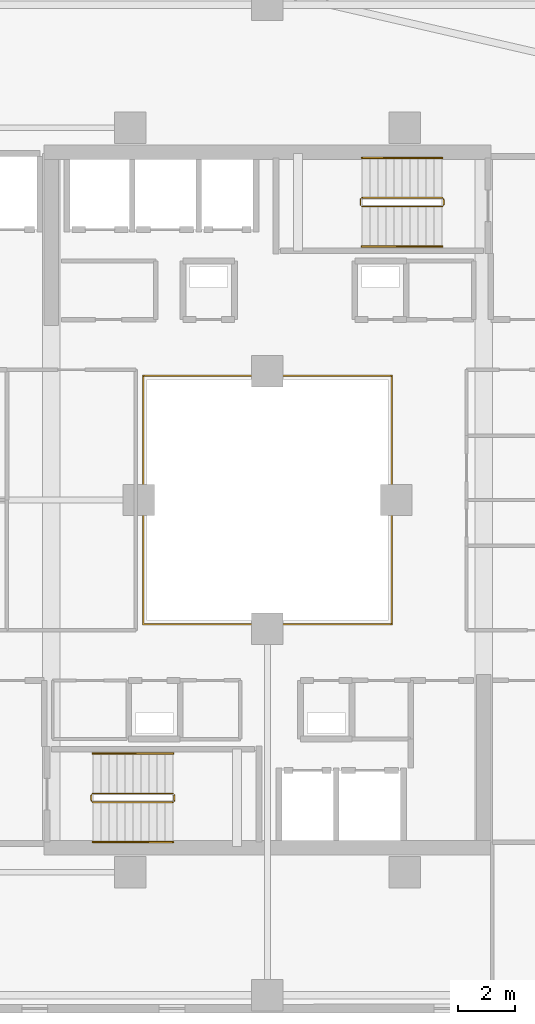
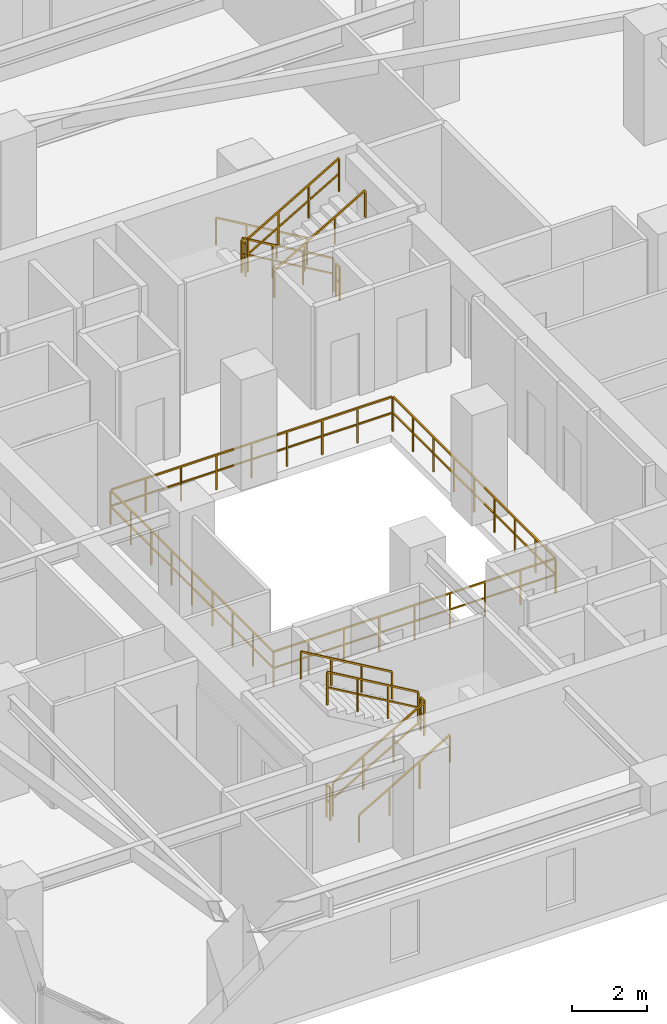
# One storey, part 30 of 33: 13 railings.
"""IFC4 building model written with IfcOpenShell, lengths in metres."""

from ifc_helpers import new_model, si_unit, direction, frame, origin, origin_2d, place, context, subcontext, project, spatial, rectangle, extrude, material, type_object, element, save


model = new_model("IFC4")

# Units and contexts
model_context = context("Model", 3, precision=1e-05, world=origin(), true_north=direction((0.0, 1.0)))
body_context = subcontext(model_context, "Body", "Model", "MODEL_VIEW")
ifc_project = project(units=[si_unit("LENGTHUNIT", "METRE"), si_unit("AREAUNIT", "SQUARE_METRE"), si_unit("VOLUMEUNIT", "CUBIC_METRE"), si_unit("PLANEANGLEUNIT", "RADIAN"), si_unit("MASSUNIT", "GRAM", prefix="KILO")], contexts=[model_context])

# Site, building, storey
site_placement = place(None, origin())
site = spatial("IfcSite", under=ifc_project, at=site_placement, CompositionType="ELEMENT")
building_placement = place(site_placement, origin())
building = spatial("IfcBuilding", under=site, at=building_placement, Name="Thornwick Lancets Civic Towers", CompositionType="ELEMENT")
storey_placement = place(building_placement, frame((0.0, 0.0, 189.300048828125)))
storey = spatial("IfcBuildingStorey", under=building, at=storey_placement, Name="L50", CompositionType="ELEMENT", Elevation=189.300048828125)

# Railings
ifc_material_1 = material(Name="Laminated glass and bronze steel S355", Category="steel")
railing_type_1 = type_object("IfcRailingType", Name="RAIL_ATRIUM_GUARD", PredefinedType="BALUSTRADE", material=ifc_material_1)
railing_1_placement = place(storey_placement, frame((21.159912109375, 22.659912109375, 0.0)))
element("IfcRailing", 1, at=railing_1_placement, inside=storey, type_object=railing_type_1, Name="L50 Tower A Central Atrium Guard Balustrade", PredefinedType="BALUSTRADE", context=body_context, shape_type="SweptSolid", body=[
    extrude(rectangle(XDim=0.048095703125, YDim=0.048095703125, at=origin_2d()), frame((0.0, 0.0, 1.1259765625), z_axis=(1.0, 0.0, 0.0), x_axis=(0.0, 1.0, 0.0)), (0.0, 0.0, 1.0), 8.64892578125),
    extrude(rectangle(XDim=0.0419921875, YDim=0.0419921875, at=origin_2d()), frame((0.03759765625, 0.0, 0.597900390625), z_axis=(1.0, 0.0, 0.0), x_axis=(0.0, 1.0, 0.0)), (0.0, 0.0, 1.0), 1.010009765625),
    extrude(rectangle(XDim=0.0419921875, YDim=0.0419921875, at=origin_2d()), frame((1.12255859375, 0.0, 0.597900390625), z_axis=(1.0, 0.0, 0.0), x_axis=(0.0, 1.0, 0.0)), (0.0, 0.0, 1.0), 1.010009765625),
    extrude(rectangle(XDim=0.0419921875, YDim=0.0419921875, at=origin_2d()), frame((2.20751953125, 0.0, 0.597900390625), z_axis=(1.0, 0.0, 0.0), x_axis=(0.0, 1.0, 0.0)), (0.0, 0.0, 1.0), 1.010009765625),
    extrude(rectangle(XDim=0.0419921875, YDim=0.0419921875, at=origin_2d()), frame((3.29248046875, 0.0, 0.597900390625), z_axis=(1.0, 0.0, 0.0), x_axis=(0.0, 1.0, 0.0)), (0.0, 0.0, 1.0), 1.010009765625),
    extrude(rectangle(XDim=0.0419921875, YDim=0.0419921875, at=origin_2d()), frame((4.377685546875, 0.0, 0.597900390625), z_axis=(1.0, 0.0, 0.0), x_axis=(0.0, 1.0, 0.0)), (0.0, 0.0, 1.0), 1.010009765625),
    extrude(rectangle(XDim=0.0419921875, YDim=0.0419921875, at=origin_2d()), frame((5.462646484375, 0.0, 0.597900390625), z_axis=(1.0, 0.0, 0.0), x_axis=(0.0, 1.0, 0.0)), (0.0, 0.0, 1.0), 1.010009765625),
    extrude(rectangle(XDim=0.0419921875, YDim=0.0419921875, at=origin_2d()), frame((6.547607421875, 0.0, 0.597900390625), z_axis=(1.0, 0.0, 0.0), x_axis=(0.0, 1.0, 0.0)), (0.0, 0.0, 1.0), 1.010009765625),
    extrude(rectangle(XDim=0.0419921875, YDim=0.0419921875, at=origin_2d()), frame((7.632568359375, 0.0, 0.597900390625), z_axis=(1.0, 0.0, 0.0), x_axis=(0.0, 1.0, 0.0)), (0.0, 0.0, 1.0), 1.010009765625),
    extrude(rectangle(XDim=0.048095703125, YDim=0.048095703125, at=origin_2d()), frame((8.68017578125, 0.03125, 1.1259765625), z_axis=(0.0, 1.0, 0.0), x_axis=(-1.0, 0.0, 0.0)), (0.0, 0.0, 1.0), 8.61767578125),
    extrude(rectangle(XDim=0.0419921875, YDim=0.0419921875, at=origin_2d()), frame((8.68017578125, 0.03759765625, 0.597900390625), z_axis=(0.0, 1.0, 0.0), x_axis=(-1.0, 0.0, 0.0)), (0.0, 0.0, 1.0), 1.010009765625),
    extrude(rectangle(XDim=0.0419921875, YDim=0.0419921875, at=origin_2d()), frame((8.68017578125, 1.12255859375, 0.597900390625), z_axis=(0.0, 1.0, 0.0), x_axis=(-1.0, 0.0, 0.0)), (0.0, 0.0, 1.0), 1.010009765625),
    extrude(rectangle(XDim=0.0419921875, YDim=0.0419921875, at=origin_2d()), frame((8.68017578125, 2.20751953125, 0.597900390625), z_axis=(0.0, 1.0, 0.0), x_axis=(-1.0, 0.0, 0.0)), (0.0, 0.0, 1.0), 1.010009765625),
    extrude(rectangle(XDim=0.0419921875, YDim=0.0419921875, at=origin_2d()), frame((8.68017578125, 3.29248046875, 0.597900390625), z_axis=(0.0, 1.0, 0.0), x_axis=(-1.0, 0.0, 0.0)), (0.0, 0.0, 1.0), 1.010009765625),
    extrude(rectangle(XDim=0.0419921875, YDim=0.0419921875, at=origin_2d()), frame((8.68017578125, 4.377685546875, 0.597900390625), z_axis=(0.0, 1.0, 0.0), x_axis=(-1.0, 0.0, 0.0)), (0.0, 0.0, 1.0), 1.010009765625),
    extrude(rectangle(XDim=0.0419921875, YDim=0.0419921875, at=origin_2d()), frame((8.68017578125, 5.462646484375, 0.597900390625), z_axis=(0.0, 1.0, 0.0), x_axis=(-1.0, 0.0, 0.0)), (0.0, 0.0, 1.0), 1.010009765625),
    extrude(rectangle(XDim=0.0419921875, YDim=0.0419921875, at=origin_2d()), frame((8.68017578125, 6.547607421875, 0.597900390625), z_axis=(0.0, 1.0, 0.0), x_axis=(-1.0, 0.0, 0.0)), (0.0, 0.0, 1.0), 1.010009765625),
    extrude(rectangle(XDim=0.0419921875, YDim=0.0419921875, at=origin_2d()), frame((8.68017578125, 7.632568359375, 0.597900390625), z_axis=(0.0, 1.0, 0.0), x_axis=(-1.0, 0.0, 0.0)), (0.0, 0.0, 1.0), 1.010009765625),
    extrude(rectangle(XDim=0.048095703125, YDim=0.048095703125, at=origin_2d()), frame((8.64892578125, 8.68017578125, 1.1259765625), z_axis=(-1.0, 0.0, 0.0), x_axis=(0.0, -1.0, 0.0)), (0.0, 0.0, 1.0), 8.61767578125),
    extrude(rectangle(XDim=0.0419921875, YDim=0.0419921875, at=origin_2d()), frame((8.642578125, 8.68017578125, 0.597900390625), z_axis=(-1.0, 0.0, 0.0), x_axis=(0.0, -1.0, 0.0)), (0.0, 0.0, 1.0), 1.010009765625),
    extrude(rectangle(XDim=0.0419921875, YDim=0.0419921875, at=origin_2d()), frame((7.5576171875, 8.68017578125, 0.597900390625), z_axis=(-1.0, 0.0, 0.0), x_axis=(0.0, -1.0, 0.0)), (0.0, 0.0, 1.0), 1.010009765625),
    extrude(rectangle(XDim=0.0419921875, YDim=0.0419921875, at=origin_2d()), frame((6.47265625, 8.68017578125, 0.597900390625), z_axis=(-1.0, 0.0, 0.0), x_axis=(0.0, -1.0, 0.0)), (0.0, 0.0, 1.0), 1.010009765625),
    extrude(rectangle(XDim=0.0419921875, YDim=0.0419921875, at=origin_2d()), frame((5.3876953125, 8.68017578125, 0.597900390625), z_axis=(-1.0, 0.0, 0.0), x_axis=(0.0, -1.0, 0.0)), (0.0, 0.0, 1.0), 1.010009765625),
    extrude(rectangle(XDim=0.0419921875, YDim=0.0419921875, at=origin_2d()), frame((4.302490234375, 8.68017578125, 0.597900390625), z_axis=(-1.0, 0.0, 0.0), x_axis=(0.0, -1.0, 0.0)), (0.0, 0.0, 1.0), 1.010009765625),
    extrude(rectangle(XDim=0.0419921875, YDim=0.0419921875, at=origin_2d()), frame((3.217529296875, 8.68017578125, 0.597900390625), z_axis=(-1.0, 0.0, 0.0), x_axis=(0.0, -1.0, 0.0)), (0.0, 0.0, 1.0), 1.010009765625),
    extrude(rectangle(XDim=0.0419921875, YDim=0.0419921875, at=origin_2d()), frame((2.132568359375, 8.68017578125, 0.597900390625), z_axis=(-1.0, 0.0, 0.0), x_axis=(0.0, -1.0, 0.0)), (0.0, 0.0, 1.0), 1.010009765625),
    extrude(rectangle(XDim=0.0419921875, YDim=0.0419921875, at=origin_2d()), frame((1.047607421875, 8.68017578125, 0.597900390625), z_axis=(-1.0, 0.0, 0.0), x_axis=(0.0, -1.0, 0.0)), (0.0, 0.0, 1.0), 1.010009765625),
    extrude(rectangle(XDim=0.048095703125, YDim=0.048095703125, at=origin_2d()), frame((0.0, 8.64892578125, 1.1259765625), z_axis=(0.0, -1.0, 0.0), x_axis=(1.0, 0.0, 0.0)), (0.0, 0.0, 1.0), 8.64892578125),
    extrude(rectangle(XDim=0.0419921875, YDim=0.0419921875, at=origin_2d()), frame((0.0, 8.642578125, 0.597900390625), z_axis=(0.0, -1.0, 0.0), x_axis=(1.0, 0.0, 0.0)), (0.0, 0.0, 1.0), 1.010009765625),
    extrude(rectangle(XDim=0.0419921875, YDim=0.0419921875, at=origin_2d()), frame((0.0, 7.5576171875, 0.597900390625), z_axis=(0.0, -1.0, 0.0), x_axis=(1.0, 0.0, 0.0)), (0.0, 0.0, 1.0), 1.010009765625),
    extrude(rectangle(XDim=0.0419921875, YDim=0.0419921875, at=origin_2d()), frame((0.0, 6.47265625, 0.597900390625), z_axis=(0.0, -1.0, 0.0), x_axis=(1.0, 0.0, 0.0)), (0.0, 0.0, 1.0), 1.010009765625),
    extrude(rectangle(XDim=0.0419921875, YDim=0.0419921875, at=origin_2d()), frame((0.0, 5.3876953125, 0.597900390625), z_axis=(0.0, -1.0, 0.0), x_axis=(1.0, 0.0, 0.0)), (0.0, 0.0, 1.0), 1.010009765625),
    extrude(rectangle(XDim=0.0419921875, YDim=0.0419921875, at=origin_2d()), frame((0.0, 4.302490234375, 0.597900390625), z_axis=(0.0, -1.0, 0.0), x_axis=(1.0, 0.0, 0.0)), (0.0, 0.0, 1.0), 1.010009765625),
    extrude(rectangle(XDim=0.0419921875, YDim=0.0419921875, at=origin_2d()), frame((0.0, 3.217529296875, 0.597900390625), z_axis=(0.0, -1.0, 0.0), x_axis=(1.0, 0.0, 0.0)), (0.0, 0.0, 1.0), 1.010009765625),
    extrude(rectangle(XDim=0.0419921875, YDim=0.0419921875, at=origin_2d()), frame((0.0, 2.132568359375, 0.597900390625), z_axis=(0.0, -1.0, 0.0), x_axis=(1.0, 0.0, 0.0)), (0.0, 0.0, 1.0), 1.010009765625),
    extrude(rectangle(XDim=0.0419921875, YDim=0.0419921875, at=origin_2d()), frame((0.0, 1.047607421875, 0.597900390625), z_axis=(0.0, -1.0, 0.0), x_axis=(1.0, 0.0, 0.0)), (0.0, 0.0, 1.0), 1.010009765625),
    extrude(rectangle(XDim=0.0419921875, YDim=0.0419921875, at=origin_2d()), origin(), (0.0, 0.0, 1.0), 1.095703125),
    extrude(rectangle(XDim=0.0419921875, YDim=0.0419921875, at=origin_2d()), frame((1.0849609375, 0.0, 0.0)), (0.0, 0.0, 1.0), 1.095703125),
    extrude(rectangle(XDim=0.0419921875, YDim=0.0419921875, at=origin_2d()), frame((2.169921875, 0.0, 0.0)), (0.0, 0.0, 1.0), 1.095703125),
    extrude(rectangle(XDim=0.0419921875, YDim=0.0419921875, at=origin_2d()), frame((3.255126953125, 0.0, 0.0)), (0.0, 0.0, 1.0), 1.095703125),
    extrude(rectangle(XDim=0.0419921875, YDim=0.0419921875, at=origin_2d()), frame((4.340087890625, 0.0, 0.0)), (0.0, 0.0, 1.0), 1.095703125),
    extrude(rectangle(XDim=0.0419921875, YDim=0.0419921875, at=origin_2d()), frame((5.425048828125, 0.0, 0.0)), (0.0, 0.0, 1.0), 1.095703125),
    extrude(rectangle(XDim=0.0419921875, YDim=0.0419921875, at=origin_2d()), frame((6.51025390625, 0.0, 0.0)), (0.0, 0.0, 1.0), 1.095703125),
    extrude(rectangle(XDim=0.0419921875, YDim=0.0419921875, at=origin_2d()), frame((7.59521484375, 0.0, 0.0)), (0.0, 0.0, 1.0), 1.095703125),
    extrude(rectangle(XDim=0.0419921875, YDim=0.0419921875, at=origin_2d()), frame((8.68017578125, 0.0, 0.0)), (0.0, 0.0, 1.0), 1.095703125),
    extrude(rectangle(XDim=0.0419921875, YDim=0.0419921875, at=origin_2d()), frame((8.68017578125, 1.0849609375, 0.0)), (0.0, 0.0, 1.0), 1.095703125),
    extrude(rectangle(XDim=0.0419921875, YDim=0.0419921875, at=origin_2d()), frame((8.68017578125, 2.169921875, 0.0)), (0.0, 0.0, 1.0), 1.095703125),
    extrude(rectangle(XDim=0.0419921875, YDim=0.0419921875, at=origin_2d()), frame((8.68017578125, 3.255126953125, 0.0)), (0.0, 0.0, 1.0), 1.095703125),
    extrude(rectangle(XDim=0.0419921875, YDim=0.0419921875, at=origin_2d()), frame((8.68017578125, 4.340087890625, 0.0)), (0.0, 0.0, 1.0), 1.095703125),
    extrude(rectangle(XDim=0.0419921875, YDim=0.0419921875, at=origin_2d()), frame((8.68017578125, 5.425048828125, 0.0)), (0.0, 0.0, 1.0), 1.095703125),
    extrude(rectangle(XDim=0.0419921875, YDim=0.0419921875, at=origin_2d()), frame((8.68017578125, 6.51025390625, 0.0)), (0.0, 0.0, 1.0), 1.095703125),
    extrude(rectangle(XDim=0.0419921875, YDim=0.0419921875, at=origin_2d()), frame((8.68017578125, 7.59521484375, 0.0)), (0.0, 0.0, 1.0), 1.095703125),
    extrude(rectangle(XDim=0.0419921875, YDim=0.0419921875, at=origin_2d()), frame((8.68017578125, 8.68017578125, 0.0)), (0.0, 0.0, 1.0), 1.095703125),
    extrude(rectangle(XDim=0.0419921875, YDim=0.0419921875, at=origin_2d()), frame((7.59521484375, 8.68017578125, 0.0)), (0.0, 0.0, 1.0), 1.095703125),
    extrude(rectangle(XDim=0.0419921875, YDim=0.0419921875, at=origin_2d()), frame((6.51025390625, 8.68017578125, 0.0)), (0.0, 0.0, 1.0), 1.095703125),
    extrude(rectangle(XDim=0.0419921875, YDim=0.0419921875, at=origin_2d()), frame((5.425048828125, 8.68017578125, 0.0)), (0.0, 0.0, 1.0), 1.095703125),
    extrude(rectangle(XDim=0.0419921875, YDim=0.0419921875, at=origin_2d()), frame((4.340087890625, 8.68017578125, 0.0)), (0.0, 0.0, 1.0), 1.095703125),
    extrude(rectangle(XDim=0.0419921875, YDim=0.0419921875, at=origin_2d()), frame((3.255126953125, 8.68017578125, 0.0)), (0.0, 0.0, 1.0), 1.095703125),
    extrude(rectangle(XDim=0.0419921875, YDim=0.0419921875, at=origin_2d()), frame((2.169921875, 8.68017578125, 0.0)), (0.0, 0.0, 1.0), 1.095703125),
    extrude(rectangle(XDim=0.0419921875, YDim=0.0419921875, at=origin_2d()), frame((1.0849609375, 8.68017578125, 0.0)), (0.0, 0.0, 1.0), 1.095703125),
    extrude(rectangle(XDim=0.0419921875, YDim=0.0419921875, at=origin_2d()), frame((0.0, 8.68017578125, 0.0)), (0.0, 0.0, 1.0), 1.095703125),
    extrude(rectangle(XDim=0.0419921875, YDim=0.0419921875, at=origin_2d()), frame((0.0, 7.59521484375, 0.0)), (0.0, 0.0, 1.0), 1.095703125),
    extrude(rectangle(XDim=0.0419921875, YDim=0.0419921875, at=origin_2d()), frame((0.0, 6.51025390625, 0.0)), (0.0, 0.0, 1.0), 1.095703125),
    extrude(rectangle(XDim=0.0419921875, YDim=0.0419921875, at=origin_2d()), frame((0.0, 5.425048828125, 0.0)), (0.0, 0.0, 1.0), 1.095703125),
    extrude(rectangle(XDim=0.0419921875, YDim=0.0419921875, at=origin_2d()), frame((0.0, 4.340087890625, 0.0)), (0.0, 0.0, 1.0), 1.095703125),
    extrude(rectangle(XDim=0.0419921875, YDim=0.0419921875, at=origin_2d()), frame((0.0, 3.255126953125, 0.0)), (0.0, 0.0, 1.0), 1.095703125),
    extrude(rectangle(XDim=0.0419921875, YDim=0.0419921875, at=origin_2d()), frame((0.0, 2.169921875, 0.0)), (0.0, 0.0, 1.0), 1.095703125),
    extrude(rectangle(XDim=0.0419921875, YDim=0.0419921875, at=origin_2d()), frame((0.0, 1.0849609375, 0.0)), (0.0, 0.0, 1.0), 1.095703125),
])
ifc_material_2 = material(Name="Brushed stainless steel S355", Category="steel")
railing_type_2 = type_object("IfcRailingType", Name="RAIL_HANDRAIL", PredefinedType="HANDRAIL", material=ifc_material_2)
railing_2_placement = place(storey_placement, frame((19.39990234375, 15.050048828125, 0.16357421875)))
element("IfcRailing", 2, at=railing_2_placement, inside=storey, type_object=railing_type_2, Name="L50 ST-A1 stair handrail 1", PredefinedType="HANDRAIL", context=body_context, shape_type="SweptSolid", body=[
    extrude(rectangle(XDim=0.048095703125, YDim=0.048095703125, at=origin_2d()), frame((0.0, 0.0, 0.8857421875), z_axis=(0.863360870873, 0.0, 0.504586966384), x_axis=(0.0, 1.0, 0.0)), (0.0, 0.0, 1.0), 3.2431640625),
    extrude(rectangle(XDim=0.0419921875, YDim=0.0419921875, at=origin_2d()), origin(), (0.0, 0.0, 1.0), 0.855712890625),
    extrude(rectangle(XDim=0.0419921875, YDim=0.0419921875, at=origin_2d()), frame((0.933349609375, 0.0, 0.54541015625)), (0.0, 0.0, 1.0), 0.855712890625),
    extrude(rectangle(XDim=0.0419921875, YDim=0.0419921875, at=origin_2d()), frame((1.86669921875, 0.0, 1.091064453125)), (0.0, 0.0, 1.0), 0.855712890625),
    extrude(rectangle(XDim=0.0419921875, YDim=0.0419921875, at=origin_2d()), frame((2.800048828125, 0.0, 1.636474609375)), (0.0, 0.0, 1.0), 0.855712890625),
])
railing_3_placement = place(storey_placement, frame((22.199951171875, 18.14990234375, 1.963623046875)))
element("IfcRailing", 3, at=railing_3_placement, inside=storey, type_object=railing_type_2, Name="L50 ST-A1 stair handrail 2", PredefinedType="HANDRAIL", context=body_context, shape_type="SweptSolid", body=[
    extrude(rectangle(XDim=0.048095703125, YDim=0.048095703125, at=origin_2d()), frame((0.0, 0.0, 0.8857421875), z_axis=(-0.863393664356, 0.0, 0.504530851732), x_axis=(0.0, -1.0, 0.0)), (0.0, 0.0, 1.0), 3.2431640625),
    extrude(rectangle(XDim=0.0419921875, YDim=0.0419921875, at=origin_2d()), origin(), (0.0, 0.0, 1.0), 0.855712890625),
    extrude(rectangle(XDim=0.0419921875, YDim=0.0419921875, at=origin_2d()), frame((-0.933349609375, 0.0, 0.54541015625)), (0.0, 0.0, 1.0), 0.855712890625),
    extrude(rectangle(XDim=0.0419921875, YDim=0.0419921875, at=origin_2d()), frame((-1.86669921875, 0.0, 1.0908203125)), (0.0, 0.0, 1.0), 0.855712890625),
    extrude(rectangle(XDim=0.0419921875, YDim=0.0419921875, at=origin_2d()), frame((-2.800048828125, 0.0, 1.63623046875)), (0.0, 0.0, 1.0), 0.855712890625),
])
railing_4_placement = place(storey_placement, frame((31.60009765625, 38.949951171875, 0.16357421875)))
element("IfcRailing", 4, at=railing_4_placement, inside=storey, type_object=railing_type_2, Name="L50 ST-A2 stair handrail 1", PredefinedType="HANDRAIL", context=body_context, shape_type="SweptSolid", body=[
    extrude(rectangle(XDim=0.048095703125, YDim=0.048095703125, at=origin_2d()), frame((0.0, 0.0, 0.8857421875), z_axis=(-0.863360870873, 0.0, 0.504586966384), x_axis=(0.0, -1.0, 0.0)), (0.0, 0.0, 1.0), 3.2431640625),
    extrude(rectangle(XDim=0.0419921875, YDim=0.0419921875, at=origin_2d()), origin(), (0.0, 0.0, 1.0), 0.855712890625),
    extrude(rectangle(XDim=0.0419921875, YDim=0.0419921875, at=origin_2d()), frame((-0.933349609375, 0.0, 0.54541015625)), (0.0, 0.0, 1.0), 0.855712890625),
    extrude(rectangle(XDim=0.0419921875, YDim=0.0419921875, at=origin_2d()), frame((-1.86669921875, 0.0, 1.091064453125)), (0.0, 0.0, 1.0), 0.855712890625),
    extrude(rectangle(XDim=0.0419921875, YDim=0.0419921875, at=origin_2d()), frame((-2.800048828125, 0.0, 1.636474609375)), (0.0, 0.0, 1.0), 0.855712890625),
])
railing_5_placement = place(storey_placement, frame((28.800048828125, 35.85009765625, 1.963623046875)))
element("IfcRailing", 5, at=railing_5_placement, inside=storey, type_object=railing_type_2, Name="L50 ST-A2 stair handrail 2", PredefinedType="HANDRAIL", context=body_context, shape_type="SweptSolid", body=[
    extrude(rectangle(XDim=0.048095703125, YDim=0.048095703125, at=origin_2d()), frame((0.0, 0.0, 0.8857421875), z_axis=(0.863393664356, 0.0, 0.504530851732), x_axis=(0.0, 1.0, 0.0)), (0.0, 0.0, 1.0), 3.2431640625),
    extrude(rectangle(XDim=0.0419921875, YDim=0.0419921875, at=origin_2d()), origin(), (0.0, 0.0, 1.0), 0.855712890625),
    extrude(rectangle(XDim=0.0419921875, YDim=0.0419921875, at=origin_2d()), frame((0.933349609375, 0.0, 0.54541015625)), (0.0, 0.0, 1.0), 0.855712890625),
    extrude(rectangle(XDim=0.0419921875, YDim=0.0419921875, at=origin_2d()), frame((1.86669921875, 0.0, 1.0908203125)), (0.0, 0.0, 1.0), 0.855712890625),
    extrude(rectangle(XDim=0.0419921875, YDim=0.0419921875, at=origin_2d()), frame((2.800048828125, 0.0, 1.63623046875)), (0.0, 0.0, 1.0), 0.855712890625),
])
ifc_material_3 = material(Name="Steel S355JR", Category="steel")
railing_type_3 = type_object("IfcRailingType", Name="RAIL_STAIR_GUARD", PredefinedType="GUARDRAIL", material=ifc_material_3)
railing_6_placement = place(storey_placement, frame((19.39990234375, 16.449951171875, 0.16357421875)))
element("IfcRailing", 6, at=railing_6_placement, inside=storey, type_object=railing_type_3, Name="L50 ST-A1 stair guard 1", PredefinedType="GUARDRAIL", context=body_context, shape_type="SweptSolid", body=[
    extrude(rectangle(XDim=0.048095703125, YDim=0.048095703125, at=origin_2d()), frame((0.0, 0.0, 1.076171875), z_axis=(0.863360870873, 0.0, 0.504586966384), x_axis=(0.0, 1.0, 0.0)), (0.0, 0.0, 1.0), 3.2431640625),
    extrude(rectangle(XDim=0.0419921875, YDim=0.0419921875, at=origin_2d()), frame((0.032470703125, 0.0, 0.591064453125), z_axis=(0.863360870873, 0.0, 0.504586966384), x_axis=(0.0, 1.0, 0.0)), (0.0, 0.0, 1.0), 1.006103515625),
    extrude(rectangle(XDim=0.0419921875, YDim=0.0419921875, at=origin_2d()), frame((0.9658203125, 0.0, 1.136474609375), z_axis=(0.863360870873, 0.0, 0.504586966384), x_axis=(0.0, 1.0, 0.0)), (0.0, 0.0, 1.0), 1.006103515625),
    extrude(rectangle(XDim=0.0419921875, YDim=0.0419921875, at=origin_2d()), frame((1.899169921875, 0.0, 1.681884765625), z_axis=(0.863360870873, 0.0, 0.504586966384), x_axis=(0.0, 1.0, 0.0)), (0.0, 0.0, 1.0), 1.006103515625),
    extrude(rectangle(XDim=0.0419921875, YDim=0.0419921875, at=origin_2d()), origin(), (0.0, 0.0, 1.0), 1.0458984375),
    extrude(rectangle(XDim=0.0419921875, YDim=0.0419921875, at=origin_2d()), frame((0.933349609375, 0.0, 0.54541015625)), (0.0, 0.0, 1.0), 1.0458984375),
    extrude(rectangle(XDim=0.0419921875, YDim=0.0419921875, at=origin_2d()), frame((1.86669921875, 0.0, 1.091064453125)), (0.0, 0.0, 1.0), 1.0458984375),
    extrude(rectangle(XDim=0.0419921875, YDim=0.0419921875, at=origin_2d()), frame((2.800048828125, 0.0, 1.636474609375)), (0.0, 0.0, 1.0), 1.0458984375),
])
railing_7_placement = place(storey_placement, frame((22.25, 16.5, 1.800048828125)))
element("IfcRailing", 7, at=railing_7_placement, inside=storey, type_object=railing_type_3, Name="L50 ST-A1 stair guard 2", PredefinedType="GUARDRAIL", context=body_context, shape_type="SweptSolid", body=[
    extrude(rectangle(XDim=0.048095703125, YDim=0.048095703125, at=origin_2d()), frame((0.0, 0.0, 1.076171875), z_axis=(0.0, 1.0, 0.0), x_axis=(-1.0, 0.0, 0.0)), (0.0, 0.0, 1.0), 0.199951171875),
    extrude(rectangle(XDim=0.0419921875, YDim=0.0419921875, at=origin_2d()), frame((0.0, 0.03759765625, 0.572021484375), z_axis=(0.0, 1.0, 0.0), x_axis=(-1.0, 0.0, 0.0)), (0.0, 0.0, 1.0), 0.125),
    extrude(rectangle(XDim=0.0419921875, YDim=0.0419921875, at=origin_2d()), origin(), (0.0, 0.0, 1.0), 1.0458984375),
    extrude(rectangle(XDim=0.0419921875, YDim=0.0419921875, at=origin_2d()), frame((0.0, 0.199951171875, 0.0)), (0.0, 0.0, 1.0), 1.0458984375),
])
railing_8_placement = place(storey_placement, frame((22.199951171875, 16.75, 1.963623046875)))
element("IfcRailing", 8, at=railing_8_placement, inside=storey, type_object=railing_type_3, Name="L50 ST-A1 stair guard 3", PredefinedType="GUARDRAIL", context=body_context, shape_type="SweptSolid", body=[
    extrude(rectangle(XDim=0.048095703125, YDim=0.048095703125, at=origin_2d()), frame((0.0, 0.0, 1.076171875), z_axis=(-0.863393664356, 0.0, 0.504530851732), x_axis=(0.0, -1.0, 0.0)), (0.0, 0.0, 1.0), 3.2431640625),
    extrude(rectangle(XDim=0.0419921875, YDim=0.0419921875, at=origin_2d()), frame((-0.032470703125, 0.0, 0.591064453125), z_axis=(-0.863393664356, 0.0, 0.504530851732), x_axis=(0.0, -1.0, 0.0)), (0.0, 0.0, 1.0), 1.006103515625),
    extrude(rectangle(XDim=0.0419921875, YDim=0.0419921875, at=origin_2d()), frame((-0.9658203125, 0.0, 1.136474609375), z_axis=(-0.863393664356, 0.0, 0.504530851732), x_axis=(0.0, -1.0, 0.0)), (0.0, 0.0, 1.0), 1.006103515625),
    extrude(rectangle(XDim=0.0419921875, YDim=0.0419921875, at=origin_2d()), frame((-1.899169921875, 0.0, 1.681884765625), z_axis=(-0.863393664356, 0.0, 0.504530851732), x_axis=(0.0, -1.0, 0.0)), (0.0, 0.0, 1.0), 1.006103515625),
    extrude(rectangle(XDim=0.0419921875, YDim=0.0419921875, at=origin_2d()), origin(), (0.0, 0.0, 1.0), 1.0458984375),
    extrude(rectangle(XDim=0.0419921875, YDim=0.0419921875, at=origin_2d()), frame((-0.933349609375, 0.0, 0.54541015625)), (0.0, 0.0, 1.0), 1.0458984375),
    extrude(rectangle(XDim=0.0419921875, YDim=0.0419921875, at=origin_2d()), frame((-1.86669921875, 0.0, 1.0908203125)), (0.0, 0.0, 1.0), 1.0458984375),
    extrude(rectangle(XDim=0.0419921875, YDim=0.0419921875, at=origin_2d()), frame((-2.800048828125, 0.0, 1.63623046875)), (0.0, 0.0, 1.0), 1.0458984375),
])
railing_9_placement = place(storey_placement, frame((19.35009765625, 16.5, 0.0)))
element("IfcRailing", 9, at=railing_9_placement, inside=storey, type_object=railing_type_3, Name="L50 ST-A1 stair guard 4", PredefinedType="GUARDRAIL", context=body_context, shape_type="SweptSolid", body=[
    extrude(rectangle(XDim=0.048095703125, YDim=0.048095703125, at=origin_2d()), frame((0.0, 0.0, 1.076171875), z_axis=(0.0, 1.0, 0.0), x_axis=(-1.0, 0.0, 0.0)), (0.0, 0.0, 1.0), 0.199951171875),
    extrude(rectangle(XDim=0.0419921875, YDim=0.0419921875, at=origin_2d()), frame((0.0, 0.03759765625, 0.572021484375), z_axis=(0.0, 1.0, 0.0), x_axis=(-1.0, 0.0, 0.0)), (0.0, 0.0, 1.0), 0.125),
    extrude(rectangle(XDim=0.0419921875, YDim=0.0419921875, at=origin_2d()), origin(), (0.0, 0.0, 1.0), 1.0458984375),
    extrude(rectangle(XDim=0.0419921875, YDim=0.0419921875, at=origin_2d()), frame((0.0, 0.199951171875, 0.0)), (0.0, 0.0, 1.0), 1.0458984375),
])
railing_10_placement = place(storey_placement, frame((31.60009765625, 37.550048828125, 0.16357421875)))
element("IfcRailing", 10, at=railing_10_placement, inside=storey, type_object=railing_type_3, Name="L50 ST-A2 stair guard 1", PredefinedType="GUARDRAIL", context=body_context, shape_type="SweptSolid", body=[
    extrude(rectangle(XDim=0.048095703125, YDim=0.048095703125, at=origin_2d()), frame((0.0, 0.0, 1.076171875), z_axis=(-0.863360870873, 0.0, 0.504586966384), x_axis=(0.0, -1.0, 0.0)), (0.0, 0.0, 1.0), 3.2431640625),
    extrude(rectangle(XDim=0.0419921875, YDim=0.0419921875, at=origin_2d()), frame((-0.032470703125, 0.0, 0.591064453125), z_axis=(-0.863360870873, 0.0, 0.504586966384), x_axis=(0.0, -1.0, 0.0)), (0.0, 0.0, 1.0), 1.006103515625),
    extrude(rectangle(XDim=0.0419921875, YDim=0.0419921875, at=origin_2d()), frame((-0.9658203125, 0.0, 1.136474609375), z_axis=(-0.863360870873, 0.0, 0.504586966384), x_axis=(0.0, -1.0, 0.0)), (0.0, 0.0, 1.0), 1.006103515625),
    extrude(rectangle(XDim=0.0419921875, YDim=0.0419921875, at=origin_2d()), frame((-1.899169921875, 0.0, 1.681884765625), z_axis=(-0.863360870873, 0.0, 0.504586966384), x_axis=(0.0, -1.0, 0.0)), (0.0, 0.0, 1.0), 1.006103515625),
    extrude(rectangle(XDim=0.0419921875, YDim=0.0419921875, at=origin_2d()), origin(), (0.0, 0.0, 1.0), 1.0458984375),
    extrude(rectangle(XDim=0.0419921875, YDim=0.0419921875, at=origin_2d()), frame((-0.933349609375, 0.0, 0.54541015625)), (0.0, 0.0, 1.0), 1.0458984375),
    extrude(rectangle(XDim=0.0419921875, YDim=0.0419921875, at=origin_2d()), frame((-1.86669921875, 0.0, 1.091064453125)), (0.0, 0.0, 1.0), 1.0458984375),
    extrude(rectangle(XDim=0.0419921875, YDim=0.0419921875, at=origin_2d()), frame((-2.800048828125, 0.0, 1.636474609375)), (0.0, 0.0, 1.0), 1.0458984375),
])
railing_11_placement = place(storey_placement, frame((28.75, 37.5, 1.800048828125)))
element("IfcRailing", 11, at=railing_11_placement, inside=storey, type_object=railing_type_3, Name="L50 ST-A2 stair guard 2", PredefinedType="GUARDRAIL", context=body_context, shape_type="SweptSolid", body=[
    extrude(rectangle(XDim=0.048095703125, YDim=0.048095703125, at=origin_2d()), frame((0.0, 0.0, 1.076171875), z_axis=(0.0, -1.0, 0.0), x_axis=(1.0, 0.0, 0.0)), (0.0, 0.0, 1.0), 0.199951171875),
    extrude(rectangle(XDim=0.0419921875, YDim=0.0419921875, at=origin_2d()), frame((0.0, -0.03759765625, 0.572021484375), z_axis=(0.0, -1.0, 0.0), x_axis=(1.0, 0.0, 0.0)), (0.0, 0.0, 1.0), 0.125),
    extrude(rectangle(XDim=0.0419921875, YDim=0.0419921875, at=origin_2d()), origin(), (0.0, 0.0, 1.0), 1.0458984375),
    extrude(rectangle(XDim=0.0419921875, YDim=0.0419921875, at=origin_2d()), frame((0.0, -0.199951171875, 0.0)), (0.0, 0.0, 1.0), 1.0458984375),
])
railing_12_placement = place(storey_placement, frame((28.800048828125, 37.25, 1.963623046875)))
element("IfcRailing", 12, at=railing_12_placement, inside=storey, type_object=railing_type_3, Name="L50 ST-A2 stair guard 3", PredefinedType="GUARDRAIL", context=body_context, shape_type="SweptSolid", body=[
    extrude(rectangle(XDim=0.048095703125, YDim=0.048095703125, at=origin_2d()), frame((0.0, 0.0, 1.076171875), z_axis=(0.863393664356, 0.0, 0.504530851732), x_axis=(0.0, 1.0, 0.0)), (0.0, 0.0, 1.0), 3.2431640625),
    extrude(rectangle(XDim=0.0419921875, YDim=0.0419921875, at=origin_2d()), frame((0.032470703125, 0.0, 0.591064453125), z_axis=(0.863393664356, 0.0, 0.504530851732), x_axis=(0.0, 1.0, 0.0)), (0.0, 0.0, 1.0), 1.006103515625),
    extrude(rectangle(XDim=0.0419921875, YDim=0.0419921875, at=origin_2d()), frame((0.9658203125, 0.0, 1.136474609375), z_axis=(0.863393664356, 0.0, 0.504530851732), x_axis=(0.0, 1.0, 0.0)), (0.0, 0.0, 1.0), 1.006103515625),
    extrude(rectangle(XDim=0.0419921875, YDim=0.0419921875, at=origin_2d()), frame((1.899169921875, 0.0, 1.681884765625), z_axis=(0.863393664356, 0.0, 0.504530851732), x_axis=(0.0, 1.0, 0.0)), (0.0, 0.0, 1.0), 1.006103515625),
    extrude(rectangle(XDim=0.0419921875, YDim=0.0419921875, at=origin_2d()), origin(), (0.0, 0.0, 1.0), 1.0458984375),
    extrude(rectangle(XDim=0.0419921875, YDim=0.0419921875, at=origin_2d()), frame((0.933349609375, 0.0, 0.54541015625)), (0.0, 0.0, 1.0), 1.0458984375),
    extrude(rectangle(XDim=0.0419921875, YDim=0.0419921875, at=origin_2d()), frame((1.86669921875, 0.0, 1.0908203125)), (0.0, 0.0, 1.0), 1.0458984375),
    extrude(rectangle(XDim=0.0419921875, YDim=0.0419921875, at=origin_2d()), frame((2.800048828125, 0.0, 1.63623046875)), (0.0, 0.0, 1.0), 1.0458984375),
])
railing_13_placement = place(storey_placement, frame((31.64990234375, 37.5, 0.0)))
element("IfcRailing", 13, at=railing_13_placement, inside=storey, type_object=railing_type_3, Name="L50 ST-A2 stair guard 4", PredefinedType="GUARDRAIL", context=body_context, shape_type="SweptSolid", body=[
    extrude(rectangle(XDim=0.048095703125, YDim=0.048095703125, at=origin_2d()), frame((0.0, 0.0, 1.076171875), z_axis=(0.0, -1.0, 0.0), x_axis=(1.0, 0.0, 0.0)), (0.0, 0.0, 1.0), 0.199951171875),
    extrude(rectangle(XDim=0.0419921875, YDim=0.0419921875, at=origin_2d()), frame((0.0, -0.03759765625, 0.572021484375), z_axis=(0.0, -1.0, 0.0), x_axis=(1.0, 0.0, 0.0)), (0.0, 0.0, 1.0), 0.125),
    extrude(rectangle(XDim=0.0419921875, YDim=0.0419921875, at=origin_2d()), origin(), (0.0, 0.0, 1.0), 1.0458984375),
    extrude(rectangle(XDim=0.0419921875, YDim=0.0419921875, at=origin_2d()), frame((0.0, -0.199951171875, 0.0)), (0.0, 0.0, 1.0), 1.0458984375),
])

save(model, "model.ifc")
